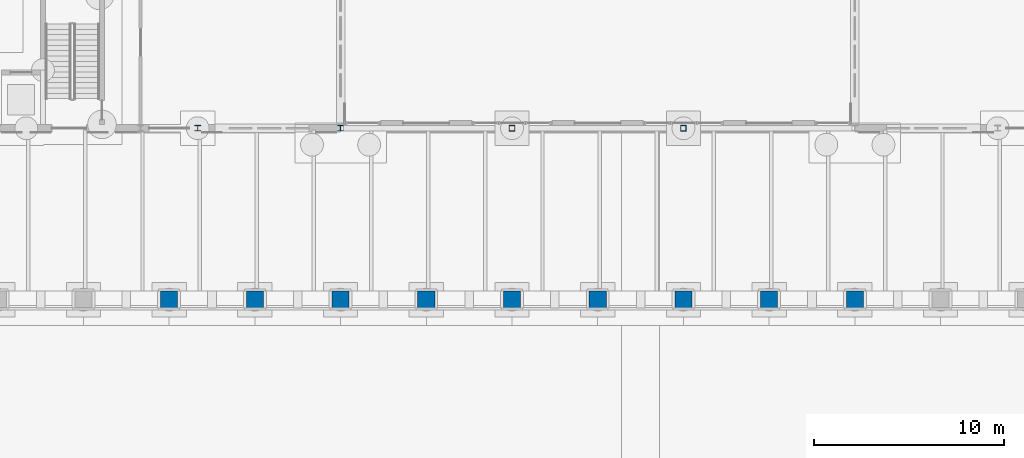
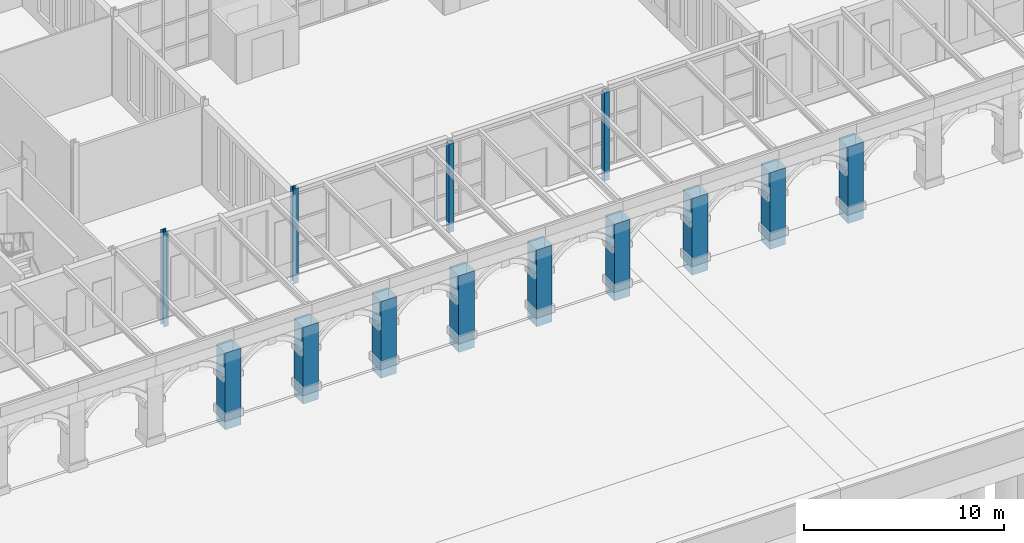
# One storey, part 14 of 168: 13 columns.
"""IFC4 building model written with IfcOpenShell, lengths in metres."""

from ifc_helpers import new_model, si_unit, direction, frame, origin, origin_2d, place, context, subcontext, project, spatial, rectangle, hollow_rectangle, i_section, extrude, material, material_profile, profile_set, type_object, element, save


model = new_model("IFC4")

# Units and contexts
model_context = context("Model", 3, precision=1e-05, world=origin(), true_north=direction((0.0, 1.0)))
body_context = subcontext(model_context, "Body", "Model", "MODEL_VIEW")
ifc_project = project(units=[si_unit("LENGTHUNIT", "METRE"), si_unit("AREAUNIT", "SQUARE_METRE"), si_unit("VOLUMEUNIT", "CUBIC_METRE"), si_unit("PLANEANGLEUNIT", "RADIAN"), si_unit("MASSUNIT", "GRAM", prefix="KILO")], contexts=[model_context])

# Site, building, storey
site_placement = place(None, origin())
site = spatial("IfcSite", under=ifc_project, at=site_placement, CompositionType="ELEMENT")
building_placement = place(site_placement, origin())
building = spatial("IfcBuilding", under=site, at=building_placement, Name="Golden Quay Civic Hall", CompositionType="ELEMENT")
storey_placement = place(building_placement, origin())
storey = spatial("IfcBuildingStorey", under=building, at=storey_placement, Name="L00", CompositionType="ELEMENT", Elevation=0.0)

# Columns
ifc_material_1 = material(Name="Concrete C40/50", Category="concrete")
ifc_material_profile_1 = material_profile(ifc_material_1, rectangle(XDim=0.89990234375, YDim=0.89990234375, at=origin_2d()), Name="RC 900x900")
ifc_profile_set_1 = profile_set([ifc_material_profile_1], Name="Concrete C40/50")
column_type_1 = type_object("IfcColumnType", Name="Concrete column RC 900x900", PredefinedType="COLUMN", material=ifc_profile_set_1)
for number, where, z_axis, x_axis, name in (
    (1, (63.0, -9.0, -0.60009765625), (0.0, 0.0, 1.0), (1.0, 0.0, 0.0), "Arcade pier outer 63"),
    (2, (67.5, -9.0, -0.60009765625), (0.0, 0.0, 1.0), (1.0, 0.0, 0.0), "Arcade pier outer 67.5"),
    (3, (72.0, -9.0, -0.60009765625), (0.0, 0.0, 1.0), (1.0, 0.0, 0.0), "Arcade pier outer 72"),
    (4, (76.5, -9.0, -0.60009765625), (0.0, 0.0, 1.0), (1.0, 0.0, 0.0), "Arcade pier outer 76.5"),
    (5, (81.0, -9.0, -0.60009765625), (0.0, 0.0, 1.0), (1.0, 0.0, 0.0), "Arcade pier outer 81"),
    (6, (85.5, -9.0, -0.60009765625), (0.0, 0.0, 1.0), (1.0, 0.0, 0.0), "Arcade pier outer 85.5"),
    (7, (90.0, -9.0, -0.60009765625), (0.0, 0.0, 1.0), (1.0, 0.0, 0.0), "Arcade pier outer 90"),
    (8, (94.5, -9.0, -0.60009765625), (0.0, 0.0, 1.0), (1.0, 0.0, 0.0), "Arcade pier outer 94.5"),
    (9, (99.0, -9.0, -0.60009765625), (0.0, 0.0, 1.0), (1.0, 0.0, 0.0), "Arcade pier outer 99"),
):
    element("IfcColumn", number, at=place(storey_placement, frame(where, z_axis=z_axis, x_axis=x_axis)), inside=storey, type_object=column_type_1, Name=name, PredefinedType="COLUMN", context=body_context, shape_type="SweptSolid", body=[
        extrude(rectangle(XDim=0.89990234375, YDim=0.89990234375, at=origin_2d()), origin(), (0.0, 0.0, 1.0), 4.7001953125),
    ])
ifc_material_2 = material(Name="Steel S355", Category="steel")
ifc_material_profile_2 = material_profile(ifc_material_2, i_section(OverallWidth=0.300048828125, OverallDepth=0.2900390625, WebThickness=0.008544921875, FlangeThickness=0.013916015625, FilletRadius=0.027099609375, at=origin_2d()), Name="HEA 300")
ifc_profile_set_2 = profile_set([ifc_material_profile_2], Name="Steel S355")
column_type_2 = type_object("IfcColumnType", Name="Steel column HEA 300", PredefinedType="COLUMN", material=ifc_profile_set_2)
for number, where, z_axis, x_axis, name in (
    (10, (64.5, 0.0, -0.60009765625), (0.0, 0.0, 1.0), (1.0, 0.0, 0.0), "Column 64.5/0 L00"),
    (11, (72.0, 0.0, -0.60009765625), (0.0, 0.0, 1.0), (1.0, 0.0, 0.0), "Column 72/0 L00"),
):
    element("IfcColumn", number, at=place(storey_placement, frame(where, z_axis=z_axis, x_axis=x_axis)), inside=storey, type_object=column_type_2, Name=name, PredefinedType="COLUMN", context=body_context, shape_type="SweptSolid", body=[
        extrude(i_section(OverallWidth=0.300048828125, OverallDepth=0.2900390625, WebThickness=0.008544921875, FlangeThickness=0.013916015625, FilletRadius=0.027099609375, at=origin_2d()), origin(), (0.0, 0.0, 1.0), 5.800048828125),
    ])
ifc_material_3 = material(Name="Steel S355", Category="steel")
ifc_material_profile_3 = material_profile(ifc_material_3, hollow_rectangle(XDim=0.300048828125, YDim=0.300048828125, WallThickness=0.01611328125, at=origin_2d()), Name="SHS 300x300x16")
ifc_profile_set_3 = profile_set([ifc_material_profile_3], Name="Steel S355")
column_type_3 = type_object("IfcColumnType", Name="Steel column SHS 300x300x16", PredefinedType="COLUMN", material=ifc_profile_set_3)
for number, where, z_axis, x_axis, name in (
    (12, (81.0, 0.0, -0.60009765625), (0.0, 0.0, 1.0), (1.0, 0.0, 0.0), "Column entrance 81"),
    (13, (90.0, 0.0, -0.60009765625), (0.0, 0.0, 1.0), (1.0, 0.0, 0.0), "Column entrance 90"),
):
    element("IfcColumn", number, at=place(storey_placement, frame(where, z_axis=z_axis, x_axis=x_axis)), inside=storey, type_object=column_type_3, Name=name, PredefinedType="COLUMN", context=body_context, shape_type="SweptSolid", body=[
        extrude(hollow_rectangle(XDim=0.300048828125, YDim=0.300048828125, WallThickness=0.01611328125, at=origin_2d()), origin(), (0.0, 0.0, 1.0), 5.400146484375),
    ])

save(model, "model.ifc")
